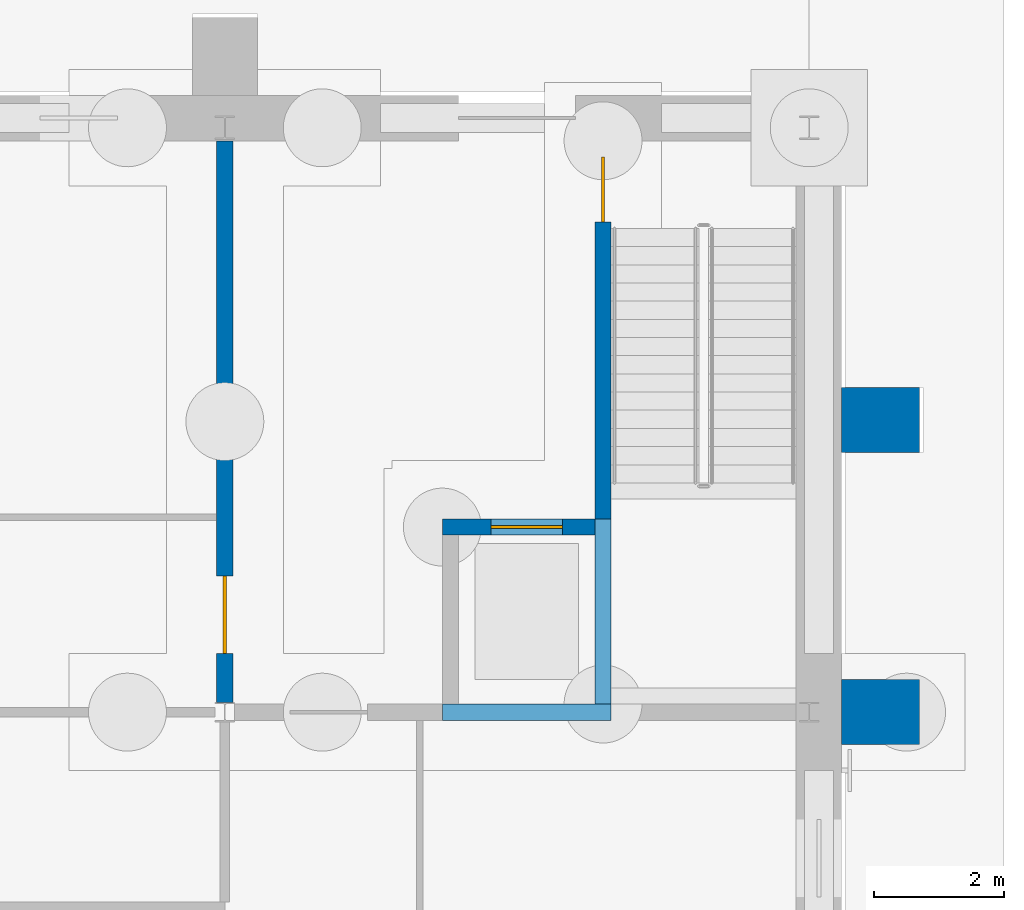
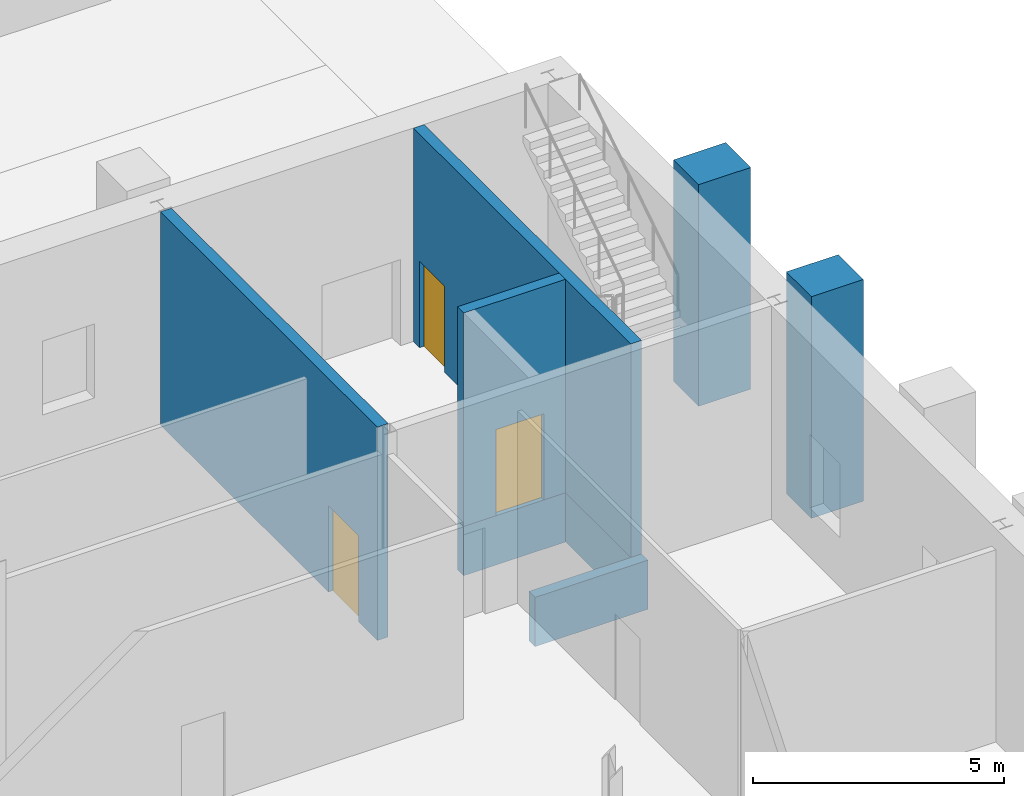
# One storey, part 107 of 168: 8 walls, 3 doors, 3 openings.
"""IFC4 building model written with IfcOpenShell, lengths in metres."""

from ifc_helpers import new_model, si_unit, direction, frame, frame_2d, origin, place, context, subcontext, project, spatial, rectangle, extrude, material, layer, layer_set, type_object, element, fill, save


model = new_model("IFC4")

# Units and contexts
model_context = context("Model", 3, precision=1e-05, world=origin(), true_north=direction((0.0, 1.0)))
body_context = subcontext(model_context, "Body", "Model", "MODEL_VIEW")
ifc_project = project(units=[si_unit("LENGTHUNIT", "METRE"), si_unit("AREAUNIT", "SQUARE_METRE"), si_unit("VOLUMEUNIT", "CUBIC_METRE"), si_unit("PLANEANGLEUNIT", "RADIAN"), si_unit("MASSUNIT", "GRAM", prefix="KILO")], contexts=[model_context])

# Site, building, storey
site_placement = place(None, origin())
site = spatial("IfcSite", under=ifc_project, at=site_placement, CompositionType="ELEMENT")
building_placement = place(site_placement, origin())
building = spatial("IfcBuilding", under=site, at=building_placement, Name="Golden Quay Civic Hall", CompositionType="ELEMENT")
storey_placement = place(building_placement, origin())
storey = spatial("IfcBuildingStorey", under=building, at=storey_placement, Name="L00", CompositionType="ELEMENT", Elevation=0.0)

# Wall, opening, door
ifc_material_1 = material(Name="Concrete C40/50", Category="concrete")
ifc_layer_1 = layer(ifc_material_1, 0.25)
ifc_layer_set_1 = layer_set([ifc_layer_1], Name="Concrete core wall 250, Concrete C40/50")
wall_type_1 = type_object("IfcWallType", Name="Concrete core wall 250", PredefinedType="SHEAR", material=ifc_layer_set_1)
wall_1_placement = place(storey_placement, frame((167.824951171875, 98.800048828125, 0.0), z_axis=(0.0, 0.0, 1.0), x_axis=(0.0, -1.0, 0.0)))
wall_1 = element("IfcWall", 1, at=wall_1_placement, inside=storey, type_object=wall_type_1, Name="L00 core wall E stair east", PredefinedType="SHEAR", context=body_context, shape_type="SweptSolid", body=[
    extrude(rectangle(XDim=8.675048828125, YDim=0.25, at=frame_2d((4.33740234375, 0.0))), origin(), (0.0, 0.0, 1.0), 5.199951171875),
])
opening_1_placement = place(wall_1_placement, frame((0.25, 0.0, 0.0)))
opening_1 = element("IfcOpeningElement", 2, at=opening_1_placement, cuts=wall_1, Name="Opening L00-D223", PredefinedType="OPENING", context=body_context, shape_type="SweptSolid", body=[
    extrude(rectangle(XDim=1.0, YDim=2.10009765625, at=frame_2d((0.5, 1.050048828125))), frame((0.0, 0.135009765625, 0.0), z_axis=(0.0, -1.0, 0.0), x_axis=(1.0, 0.0, 0.0)), (0.0, 0.0, 1.0), 0.27001953125),
])
ifc_material_2 = material(Name="Steel", Category="steel")
door_type_1 = type_object("IfcDoorType", Name="Steel fire door FD60 1000 x 2100", OperationType="SINGLE_SWING_LEFT", PredefinedType="DOOR", material=ifc_material_2)
door_1_placement = place(opening_1_placement, frame((1.0, 0.0, 0.0), z_axis=(0.0, 0.0, 1.0), x_axis=(-1.0, 0.0, 0.0)))
door_1 = element("IfcDoor", 3, at=door_1_placement, inside=storey, type_object=door_type_1, Name="Stair door LB-E", OperationType="SINGLE_SWING_RIGHT", OverallHeight=2.10009765625, OverallWidth=1.0, PredefinedType="DOOR", context=body_context, shape_type="SweptSolid", body=[
    extrude(rectangle(XDim=1.0, YDim=2.10009765625, at=frame_2d((0.5, 1.050048828125))), frame((0.0, 0.025146484375, 0.0), z_axis=(0.0, -1.0, 0.0), x_axis=(1.0, 0.0, 0.0)), (0.0, 0.0, 1.0), 0.050048828125),
])
fill(opening_1, door_1)

wall_2_placement = place(storey_placement, frame((162.0, 98.800048828125, 0.0), z_axis=(0.0, 0.0, 1.0), x_axis=(0.0, -1.0, 0.0)))
wall_2 = element("IfcWall", 4, at=wall_2_placement, inside=storey, type_object=wall_type_1, Name="L00 core wall E east boundary", PredefinedType="SHEAR", context=body_context, shape_type="SweptSolid", body=[
    extrude(rectangle(XDim=8.650146484375, YDim=0.25, at=frame_2d((4.3251953125, 0.0))), origin(), (0.0, 0.0, 1.0), 5.199951171875),
])
opening_2_placement = place(wall_2_placement, frame((6.699951171875, 0.0, 0.0)))
opening_2 = element("IfcOpeningElement", 5, at=opening_2_placement, cuts=wall_2, Name="Opening L00-D226", PredefinedType="OPENING", context=body_context, shape_type="SweptSolid", body=[
    extrude(rectangle(XDim=1.199951171875, YDim=2.10009765625, at=frame_2d((0.60009765625, 1.050048828125))), frame((0.0, 0.135009765625, 0.0), z_axis=(0.0, -1.0, 0.0), x_axis=(1.0, 0.0, 0.0)), (0.0, 0.0, 1.0), 0.27001953125),
])
ifc_material_3 = material(Name="Steel", Category="steel")
door_type_2 = type_object("IfcDoorType", Name="Steel fire door FD60 1200 x 2100", OperationType="SINGLE_SWING_LEFT", PredefinedType="DOOR", material=ifc_material_3)
door_2_placement = place(opening_2_placement, frame((1.199951171875, 0.0, 0.0), z_axis=(0.0, 0.0, 1.0), x_axis=(-1.0, 0.0, 0.0)))
door_2 = element("IfcDoor", 6, at=door_2_placement, inside=storey, type_object=door_type_2, Name="Lobby door LB-E", OperationType="SINGLE_SWING_RIGHT", OverallHeight=2.10009765625, OverallWidth=1.199951171875, PredefinedType="DOOR", context=body_context, shape_type="SweptSolid", body=[
    extrude(rectangle(XDim=1.199951171875, YDim=2.10009765625, at=frame_2d((0.599853515625, 1.050048828125))), frame((0.0, 0.025146484375, 0.0), z_axis=(0.0, -1.0, 0.0), x_axis=(1.0, 0.0, 0.0)), (0.0, 0.0, 1.0), 0.050048828125),
])
fill(opening_2, door_2)

wall_3_placement = place(storey_placement, frame((167.699951171875, 92.85009765625, 0.0), z_axis=(0.0, 0.0, 1.0), x_axis=(-1.0, 0.0, 0.0)))
wall_3 = element("IfcWall", 7, at=wall_3_placement, inside=storey, type_object=wall_type_1, Name="L00 core wall E lift south", PredefinedType="SHEAR", context=body_context, shape_type="SweptSolid", body=[
    extrude(rectangle(XDim=2.349853515625, YDim=0.25, at=frame_2d((1.1748046875, 0.0))), origin(), (0.0, 0.0, 1.0), 5.199951171875),
])
opening_3_placement = place(wall_3_placement, frame((0.5, 0.0, 0.0)))
opening_3 = element("IfcOpeningElement", 8, at=opening_3_placement, cuts=wall_3, Name="Opening L00-D224", PredefinedType="OPENING", context=body_context, shape_type="SweptSolid", body=[
    extrude(rectangle(XDim=1.10009765625, YDim=2.10009765625, at=frame_2d((0.550048828125, 1.050048828125))), frame((0.0, 0.135009765625, 0.0), z_axis=(0.0, -1.0, 0.0), x_axis=(1.0, 0.0, 0.0)), (0.0, 0.0, 1.0), 0.27001953125),
])
ifc_material_4 = material(Name="Steel", Category="steel")
door_type_3 = type_object("IfcDoorType", Name="Lift landing door 1100 x 2100", OperationType="SLIDING_TO_LEFT", PredefinedType="DOOR", material=ifc_material_4)
door_3_placement = place(opening_3_placement, origin())
door_3 = element("IfcDoor", 9, at=door_3_placement, inside=storey, type_object=door_type_3, Name="Lift landing door", OperationType="SLIDING_TO_LEFT", OverallHeight=2.10009765625, OverallWidth=1.10009765625, PredefinedType="DOOR", context=body_context, shape_type="SweptSolid", body=[
    extrude(rectangle(XDim=1.10009765625, YDim=2.10009765625, at=frame_2d((0.550048828125, 1.050048828125))), frame((0.0, 0.02490234375, 0.0), z_axis=(0.0, -1.0, 0.0), x_axis=(1.0, 0.0, 0.0)), (0.0, 0.0, 1.0), 0.050048828125),
])
fill(opening_3, door_3)

# Walls
wall_4_placement = place(storey_placement, frame((167.699951171875, 92.85009765625, -1.199951171875), z_axis=(0.0, 0.0, 1.0), x_axis=(-1.0, 0.0, 0.0)))
element("IfcWall", 10, at=wall_4_placement, inside=storey, type_object=wall_type_1, Name="L00 lift pit wall E south", PredefinedType="SHEAR", context=body_context, shape_type="SweptSolid", body=[
    extrude(rectangle(XDim=2.349853515625, YDim=0.25, at=frame_2d((1.1748046875, 0.0))), origin(), (0.0, 0.0, 1.0), 1.199951171875),
])
wall_5_placement = place(storey_placement, frame((167.824951171875, 92.97509765625, -1.199951171875), z_axis=(0.0, 0.0, 1.0), x_axis=(0.0, -1.0, 0.0)))
element("IfcWall", 11, at=wall_5_placement, inside=storey, type_object=wall_type_1, Name="L00 lift pit wall E west", PredefinedType="SHEAR", context=body_context, shape_type="SweptSolid", body=[
    extrude(rectangle(XDim=2.85009765625, YDim=0.25, at=frame_2d((1.425048828125, 0.0))), origin(), (0.0, 0.0, 1.0), 1.199951171875),
])
wall_6_placement = place(storey_placement, frame((167.949951171875, 90.0, -1.199951171875), z_axis=(0.0, 0.0, 1.0), x_axis=(-1.0, 0.0, 0.0)))
element("IfcWall", 12, at=wall_6_placement, inside=storey, type_object=wall_type_1, Name="L00 lift pit wall E north", PredefinedType="SHEAR", context=body_context, shape_type="SweptSolid", body=[
    extrude(rectangle(XDim=2.599853515625, YDim=0.25, at=frame_2d((1.2998046875, 0.0))), origin(), (0.0, 0.0, 1.0), 1.199951171875),
])
ifc_material_5 = material(Name="Limestone, rusticated facing", Category="masonry")
ifc_layer_2 = layer(ifc_material_5, 1.199951171875)
ifc_layer_set_2 = layer_set([ifc_layer_2], Name="Stone base pier 1000 x 1200")
wall_type_2 = type_object("IfcWallType", Name="Stone base pier 1000 x 1200", PredefinedType="STANDARD", material=ifc_layer_set_2)
for number, where, z_axis, x_axis, name in (
    (13, (172.10009765625, 89.5, 0.0), (0.0, 0.0, 1.0), (0.0, 1.0, 0.0), "Stone base pier 1000 x 1200 L00 30"),
    (14, (172.10009765625, 94.0, 0.0), (0.0, 0.0, 1.0), (0.0, 1.0, 0.0), "Stone base pier 1000 x 1200 L00 31"),
):
    element("IfcWall", number, at=place(storey_placement, frame(where, z_axis=z_axis, x_axis=x_axis)), inside=storey, type_object=wall_type_2, Name=name, PredefinedType="STANDARD", context=body_context, shape_type="SweptSolid", body=[
        extrude(rectangle(XDim=1.0, YDim=1.199951171875, at=frame_2d((0.5, 0.0))), origin(), (0.0, 0.0, 1.0), 5.39990234375),
    ])

save(model, "model.ifc")
